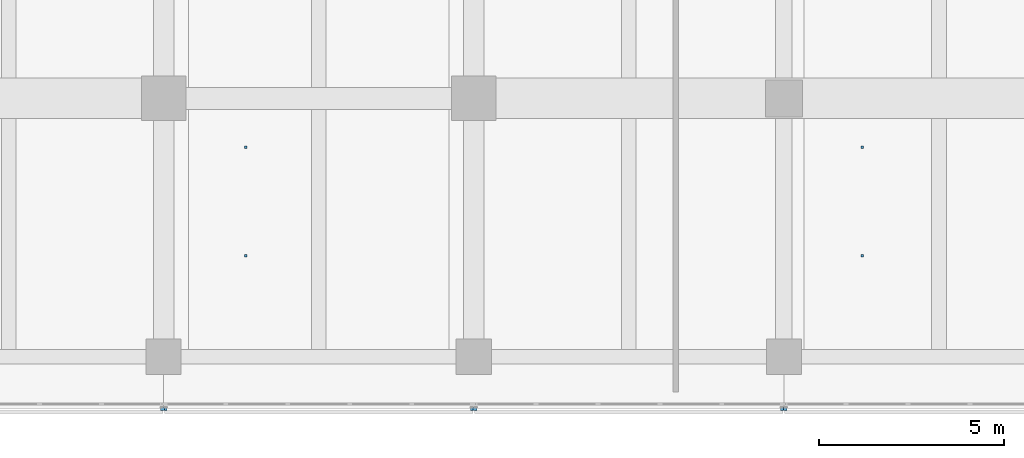
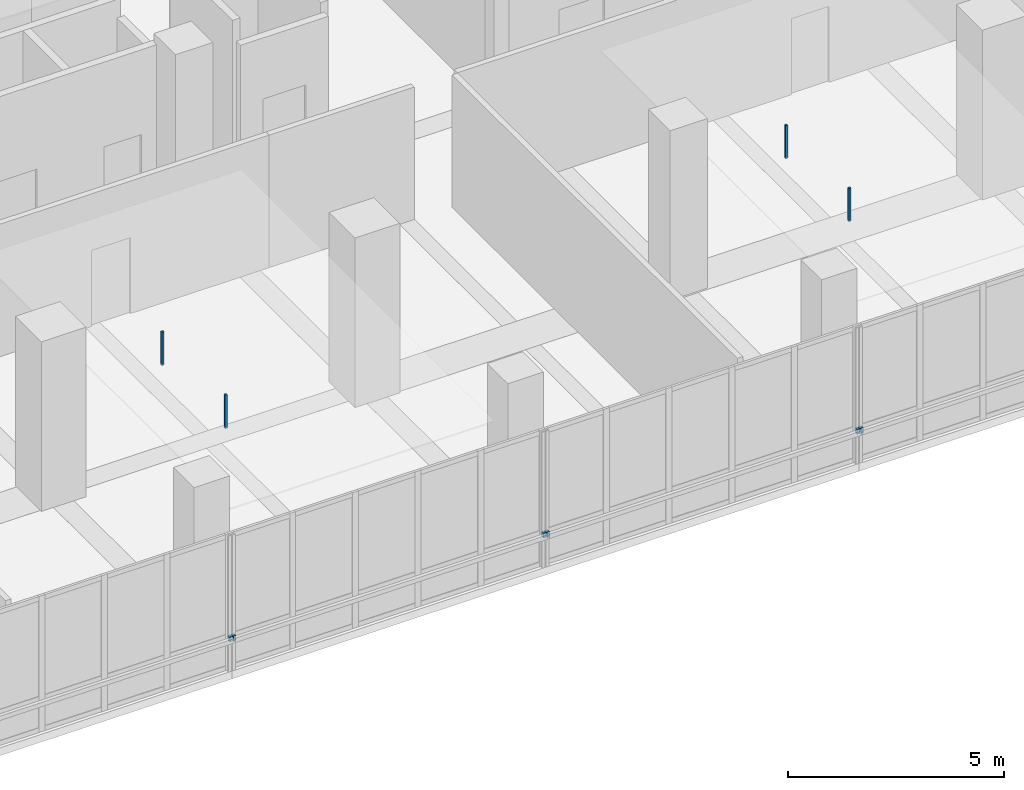
# One storey, part 74 of 122: 10 discrete accessories.
"""IFC4 building model written with IfcOpenShell, lengths in metres."""

from ifc_helpers import new_model, si_unit, direction, frame, origin, origin_2d, place, context, subcontext, project, spatial, rectangle, extrude, material, type_object, element, save


model = new_model("IFC4")

# Units and contexts
model_context = context("Model", 3, precision=1e-05, world=origin(), true_north=direction((0.0, 1.0)))
body_context = subcontext(model_context, "Body", "Model", "MODEL_VIEW")
ifc_project = project(units=[si_unit("LENGTHUNIT", "METRE"), si_unit("AREAUNIT", "SQUARE_METRE"), si_unit("VOLUMEUNIT", "CUBIC_METRE"), si_unit("PLANEANGLEUNIT", "RADIAN"), si_unit("MASSUNIT", "GRAM", prefix="KILO")], contexts=[model_context])

# Site, building, storey
site_placement = place(None, origin())
site = spatial("IfcSite", under=ifc_project, at=site_placement, CompositionType="ELEMENT")
building_placement = place(site_placement, origin())
building = spatial("IfcBuilding", under=site, at=building_placement, Name="Telukmera Botanical Conservatory", CompositionType="ELEMENT")
storey_placement = place(building_placement, frame((0.0, 0.0, 10.199951171875)))
storey = spatial("IfcBuildingStorey", under=building, at=storey_placement, Name="L02", CompositionType="ELEMENT", Elevation=10.199951171875)

# Discrete accessories
ifc_material = material(Name="Steel S355", Category="steel")
discrete_accessory_type_1 = type_object("IfcDiscreteAccessoryType", Name="ACC-CEIL-HGR", PredefinedType="BRACKET", material=ifc_material)
for number, where, z_axis, x_axis, name in (
    (1, (77.8232421875, 13.33740234375, 3.60986328125), (0.0, 0.0, 1.0), (1.0, 0.0, 0.0), "L02 Suspended Ceiling Hanger Rod 042-1"),
    (2, (77.8232421875, 16.27490234375, 3.60986328125), (0.0, 0.0, 1.0), (1.0, 0.0, 0.0), "L02 Suspended Ceiling Hanger Rod 042-2"),
):
    element("IfcDiscreteAccessory", number, at=place(storey_placement, frame(where, z_axis=z_axis, x_axis=x_axis)), inside=storey, type_object=discrete_accessory_type_1, Name=name, PredefinedType="BRACKET", context=body_context, shape_type="SweptSolid", body=[
        extrude(rectangle(XDim=0.06005859375, YDim=0.06005859375, at=origin_2d()), origin(), (0.0, 0.0, 1.0), 0.945068359375),
    ])
for number, where, z_axis, x_axis, name in (
    (3, (94.525634765625, 13.33740234375, 3.6201171875), (0.0, 0.0, 1.0), (1.0, 0.0, 0.0), "L02 Suspended Ceiling Hanger Rod 043-1"),
    (4, (94.525634765625, 16.27490234375, 3.6201171875), (0.0, 0.0, 1.0), (1.0, 0.0, 0.0), "L02 Suspended Ceiling Hanger Rod 043-2"),
):
    element("IfcDiscreteAccessory", number, at=place(storey_placement, frame(where, z_axis=z_axis, x_axis=x_axis)), inside=storey, type_object=discrete_accessory_type_1, Name=name, PredefinedType="BRACKET", context=body_context, shape_type="SweptSolid", body=[
        extrude(rectangle(XDim=0.06005859375, YDim=0.06005859375, at=origin_2d()), origin(), (0.0, 0.0, 1.0), 0.93505859375),
    ])
discrete_accessory_type_2 = type_object("IfcDiscreteAccessoryType", Name="Structural Steel Facade Outrigger Fin Bracket", PredefinedType="BRACKET", material=ifc_material)
for number, where, z_axis, x_axis, name in (
    (5, (75.5654296875, 9.195068359375, 0.8798828125), (0.0, 0.0, 1.0), (1.0, 0.0, 0.0), "Facade Outrigger Bracket V4:L02:S3 B"),
    (6, (75.634521484375, 9.195068359375, 0.8798828125), (0.0, 0.0, 1.0), (1.0, 0.0, 0.0), "Facade Outrigger Bracket V4:L02:S4 A"),
    (7, (83.965576171875, 9.195068359375, 0.8798828125), (0.0, 0.0, 1.0), (1.0, 0.0, 0.0), "Facade Outrigger Bracket V4:L02:S4 B"),
    (8, (84.034423828125, 9.195068359375, 0.8798828125), (0.0, 0.0, 1.0), (1.0, 0.0, 0.0), "Facade Outrigger Bracket V4:L02:S5 A"),
    (9, (92.365478515625, 9.195068359375, 0.8798828125), (0.0, 0.0, 1.0), (1.0, 0.0, 0.0), "Facade Outrigger Bracket V4:L02:S5 B"),
    (10, (92.4345703125, 9.195068359375, 0.8798828125), (0.0, 0.0, 1.0), (1.0, 0.0, 0.0), "Facade Outrigger Bracket V4:L02:S6 A"),
):
    element("IfcDiscreteAccessory", number, at=place(storey_placement, frame(where, z_axis=z_axis, x_axis=x_axis)), inside=storey, type_object=discrete_accessory_type_2, Name=name, PredefinedType="BRACKET", context=body_context, shape_type="SweptSolid", body=[
        extrude(rectangle(XDim=0.10009765625, YDim=0.090087890625, at=origin_2d()), origin(), (0.0, 0.0, 1.0), 0.139892578125),
    ])

save(model, "model.ifc")
